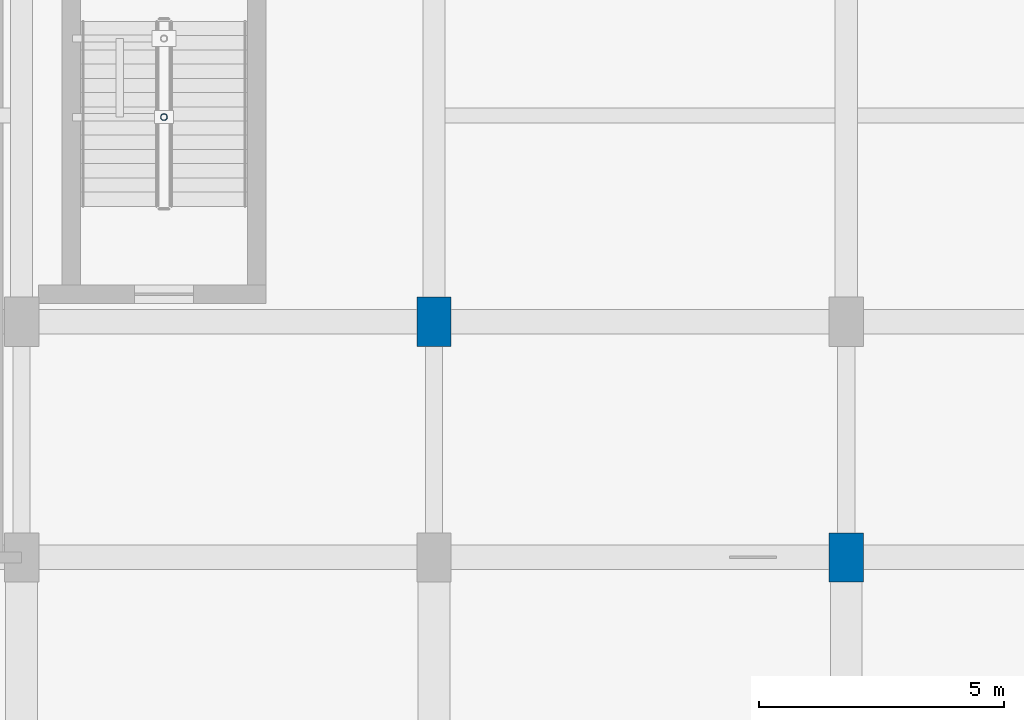
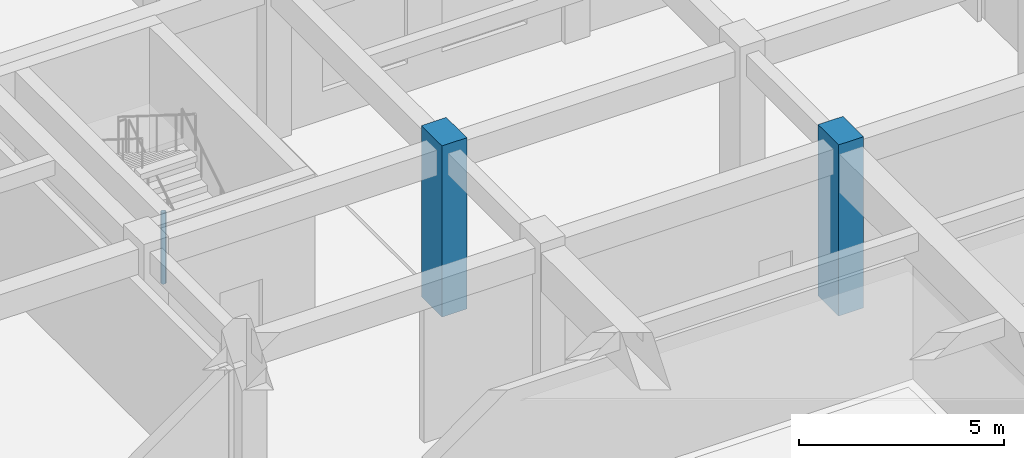
# One storey, part 2 of 80: 3 columns.
"""IFC4 building model written with IfcOpenShell, lengths in metres."""

import ifcopenshell
import ifcopenshell.guid

model = None  # the IFC model being written
_history = None  # IfcOwnerHistory: only IFC2X3 demands one
_inside = {}  # id of a spatial element -> (the spatial element, [elements in it])
_under = {}  # id of a project, library or spatial element -> (it, [spatial elements below it])
_declared = {}  # id of a project -> (the project, [libraries it declares])
_typed = {}  # id of a type object -> (the type object, [elements of that type])
_made_of = {}  # id of a material, layer set ... -> (it, [elements and type objects made of it])


def new_model(schema):
    """Start an empty IFC model of exactly this schema.

    Asked for "IFC4X3", IfcOpenShell would pick the latest addendum, in which some entities
    have other attributes; the version numbers below select the first issue.
    IFC2X3 requires an IfcOwnerHistory on every rooted entity: one is made here for all.
    """
    global model, _history
    if schema == "IFC4X3":
        model = ifcopenshell.file(schema_version=(4, 3, 0, 0))
    else:
        model = ifcopenshell.file(schema=schema)
    _inside.clear()
    _under.clear()
    _declared.clear()
    _typed.clear()
    _made_of.clear()
    _history = None
    if model.schema == "IFC2X3":
        org = make("IfcOrganization", Name="unknown")
        user = make(
            "IfcPersonAndOrganization",
            ThePerson=make("IfcPerson", FamilyName="unknown"),
            TheOrganization=org,
        )
        app = make(
            "IfcApplication",
            ApplicationDeveloper=org,
            Version="unknown",
            ApplicationFullName="unknown",
            ApplicationIdentifier="unknown",
        )
        _history = make(
            "IfcOwnerHistory",
            OwningUser=user,
            OwningApplication=app,
            ChangeAction="ADDED",
            CreationDate=0,
        )
    return model


def make(cls, **values):
    """One entity of the class cls with the attributes given. An attribute that is None is left unset."""
    return model.create_entity(
        cls, **{name: value for name, value in values.items() if value is not None}
    )


def rooted(cls, **values):
    """An entity with a GlobalId (a new one), such as an element, a storey or a relation."""
    return make(cls, GlobalId=ifcopenshell.guid.new(), OwnerHistory=_history, **values)


def si_unit(unit_type, name, prefix=None):
    """IfcSIUnit, for example si_unit("LENGTHUNIT", "METRE", prefix="MILLI")."""
    return make("IfcSIUnit", UnitType=unit_type, Prefix=prefix, Name=name)


def assignment(units):
    """IfcUnitAssignment: the units of a project."""
    return None if units is None else make("IfcUnitAssignment", Units=units)


def point(xyz):
    """IfcCartesianPoint."""
    return None if xyz is None else make("IfcCartesianPoint", Coordinates=xyz)


def direction(xyz):
    """IfcDirection."""
    return None if xyz is None else make("IfcDirection", DirectionRatios=xyz)


def frame(location, z_axis=None, x_axis=None):
    """IfcAxis2Placement3D, a coordinate frame: its origin and axes. An axis left out is left unset."""
    return make(
        "IfcAxis2Placement3D",
        Location=point(location),
        Axis=direction(z_axis),
        RefDirection=direction(x_axis),
    )


def frame_2d(location, x_axis=None):
    """IfcAxis2Placement2D, a coordinate frame in the plane: its origin and x axis."""
    return make(
        "IfcAxis2Placement2D", Location=point(location), RefDirection=direction(x_axis)
    )


def origin():
    """The frame at (0, 0, 0) with its axes left unset."""
    return frame((0.0, 0.0, 0.0))


def origin_2d():
    """The frame at (0, 0) in the plane with its x axis left unset."""
    return frame_2d((0.0, 0.0))


def place(relative_to, where):
    """IfcLocalPlacement: puts the frame where relative to a parent placement (None: the world)."""
    return make(
        "IfcLocalPlacement", PlacementRelTo=relative_to, RelativePlacement=where
    )


def context(
    kind, dimensions, precision=None, world=None, true_north=None, identifier=None
):
    """IfcGeometricRepresentationContext, for example the 3D "Model" context."""
    return make(
        "IfcGeometricRepresentationContext",
        ContextIdentifier=identifier,
        ContextType=kind,
        CoordinateSpaceDimension=dimensions,
        Precision=precision,
        WorldCoordinateSystem=world,
        TrueNorth=true_north,
    )


def subcontext(parent, identifier, kind, view, scale=None):
    """IfcGeometricRepresentationSubContext, for example "Body" below "Model"."""
    return make(
        "IfcGeometricRepresentationSubContext",
        ContextIdentifier=identifier,
        ContextType=kind,
        ParentContext=parent,
        TargetScale=scale,
        TargetView=view,
    )


def project(units=None, contexts=None):
    """IfcProject with its units and contexts."""
    return rooted(
        "IfcProject",
        Name="project",
        RepresentationContexts=contexts,
        UnitsInContext=assignment(units),
    )


def spatial(cls, under=None, at=None, **own):
    """A site, building, storey or space (cls), placed at a placement, below another one or the project."""
    s = rooted(cls, ObjectPlacement=at, **own)
    if under is not None:
        _under.setdefault(under.id(), (under, []))[1].append(s)
    return s


def profile(cls, at=None, kind="AREA", **sizes):
    """A parametric profile (cls). Its sizes go by their IFC names, for example OverallWidth=200.0."""
    return make(cls, ProfileType=kind, Position=at, **sizes)


def rectangle(**sizes):
    """IfcRectangleProfileDef."""
    return profile("IfcRectangleProfileDef", **sizes)


def hollow_circle(**sizes):
    """IfcCircleHollowProfileDef."""
    return profile("IfcCircleHollowProfileDef", **sizes)


def extrude(swept, where, along, depth):
    """IfcExtrudedAreaSolid: the profile swept, set in the frame where, extruded along a direction by depth."""
    return make(
        "IfcExtrudedAreaSolid",
        SweptArea=swept,
        Position=where,
        ExtrudedDirection=direction(along),
        Depth=depth,
    )


def shape(context_of_items, identifier, shape_type, items):
    """IfcShapeRepresentation: the items that make up one representation, for example the "Body"."""
    return make(
        "IfcShapeRepresentation",
        ContextOfItems=context_of_items,
        RepresentationIdentifier=identifier,
        RepresentationType=shape_type,
        Items=items,
    )


def material(Name=None, Category=None):
    """IfcMaterial."""
    return make("IfcMaterial", Name=Name, Category=Category)


def material_profile(
    of_material, cross_section, Name=None, Category=None, Priority=None
):
    """IfcMaterialProfile: a cross section and its material."""
    return make(
        "IfcMaterialProfile",
        Name=Name,
        Material=of_material,
        Profile=cross_section,
        Priority=Priority,
        Category=Category,
    )


def profile_set(profiles, Name=None, composite=None):
    """IfcMaterialProfileSet."""
    return make(
        "IfcMaterialProfileSet",
        Name=Name,
        MaterialProfiles=profiles,
        CompositeProfile=composite,
    )


def made_of(thing, what):
    """Note that an element or type object is made of a material, layer set ...; save() writes the relation."""
    if what is not None:
        _made_of.setdefault(what.id(), (what, []))[1].append(thing)
    return thing


def type_object(cls, material=None, **own):
    """A type object (cls), such as IfcWallType, which elements share."""
    return made_of(rooted(cls, **own), material)


def element(
    cls,
    number,
    at=None,
    inside=None,
    cuts=None,
    type_object=None,
    material=None,
    context=None,
    identifier="Body",
    shape_type=None,
    held_by="IfcProductDefinitionShape",
    body=None,
    shapes=None,
    **own,
):
    """One element of the class cls, such as IfcWall. Its Tag is "e" and its number.

    at: its placement. inside: the storey or other place that contains it. cuts: it is an
    opening in that element (IfcRelVoidsElement). A single representation is given by context,
    identifier, shape_type and body (its items); several are given by shapes. held_by: the class
    of the entity that holds the representations. save() writes the other relations.
    """
    e = rooted(cls, Tag="e%d" % number, ObjectPlacement=at, **own)
    if body is not None:
        shapes = [shape(context, identifier, shape_type, body)]
    if shapes is not None:
        e.Representation = make(held_by, Representations=shapes)
    if inside is not None:
        _inside.setdefault(inside.id(), (inside, []))[1].append(e)
    if cuts is not None:
        rooted(
            "IfcRelVoidsElement", RelatingBuildingElement=cuts, RelatedOpeningElement=e
        )
    if type_object is not None:
        _typed.setdefault(type_object.id(), (type_object, []))[1].append(e)
    return made_of(e, material)


def aggregate(whole, parts):
    """IfcRelAggregates: a whole, such as a stair, and the parts it consists of."""
    return rooted("IfcRelAggregates", RelatingObject=whole, RelatedObjects=parts)


def save(model, path):
    """Write the relations noted so far, then the file.

    IfcRelAggregates (storeys below a building ...), IfcRelContainedInSpatialStructure (elements
    in a storey), IfcRelDefinesByType, IfcRelAssociatesMaterial and IfcRelDeclares: one each for
    every whole, place, type object, material and project.
    """
    for whole, parts in _under.values():
        aggregate(whole, parts)
    for where, things in _inside.values():
        rooted(
            "IfcRelContainedInSpatialStructure",
            RelatedElements=things,
            RelatingStructure=where,
        )
    for kind, things in _typed.values():
        rooted("IfcRelDefinesByType", RelatedObjects=things, RelatingType=kind)
    for what, things in _made_of.values():
        rooted("IfcRelAssociatesMaterial", RelatedObjects=things, RelatingMaterial=what)
    for by, libraries in _declared.values():
        rooted("IfcRelDeclares", RelatingContext=by, RelatedDefinitions=libraries)
    model.write(path)


model = new_model("IFC4")

# Units and contexts
model_context = context("Model", 3, precision=1e-05, world=origin(), true_north=direction((0.0, 1.0)))
body_context = subcontext(model_context, "Body", "Model", "MODEL_VIEW")
ifc_project = project(units=[si_unit("LENGTHUNIT", "METRE"), si_unit("AREAUNIT", "SQUARE_METRE"), si_unit("VOLUMEUNIT", "CUBIC_METRE"), si_unit("PLANEANGLEUNIT", "RADIAN"), si_unit("MASSUNIT", "GRAM", prefix="KILO")], contexts=[model_context])

# Site, building, storey
site_placement = place(None, origin())
site = spatial("IfcSite", under=ifc_project, at=site_placement, CompositionType="ELEMENT")
building_placement = place(site_placement, origin())
building = spatial("IfcBuilding", under=site, at=building_placement, Name="Krzemoval Escarpment Law Courts", CompositionType="ELEMENT")
storey_placement = place(building_placement, origin())
storey = spatial("IfcBuildingStorey", under=building, at=storey_placement, Name="L00", CompositionType="ELEMENT", Elevation=0.0)

# Columns
ifc_material_1 = material(Name="Concrete C50/60", Category="concrete")
ifc_material_profile_1 = material_profile(ifc_material_1, rectangle(XDim=0.699951171875, YDim=1.0, at=origin_2d()), Name="RC 700x1000")
ifc_profile_set_1 = profile_set([ifc_material_profile_1], Name="Concrete C50/60")
column_type_1 = type_object("IfcColumnType", Name="COL-RC-700x1000", PredefinedType="COLUMN", material=ifc_profile_set_1)
for number, where, z_axis, x_axis, name in (
    (1, (42.0, 27.0, 0.0), (0.0, 0.0, 1.0), (1.0, 0.0, 0.0), "Column FC-L00-0352"),
    (2, (50.39990234375, 22.199951171875, 0.0), (0.0, 0.0, 1.0), (1.0, 0.0, 0.0), "Column FC-L00-0368"),
):
    element("IfcColumn", number, at=place(storey_placement, frame(where, z_axis=z_axis, x_axis=x_axis)), inside=storey, type_object=column_type_1, Name=name, PredefinedType="COLUMN", context=body_context, shape_type="SweptSolid", body=[
        extrude(rectangle(XDim=0.699951171875, YDim=1.0, at=origin_2d()), origin(), (0.0, 0.0, 1.0), 5.10009765625),
    ])
ifc_material_2 = material(Name="Steel S355", Category="steel")
ifc_material_profile_2 = material_profile(ifc_material_2, hollow_circle(Radius=0.06982421875, WallThickness=0.008056640625, at=origin_2d()), Name="CHS 139.7x8")
ifc_profile_set_2 = profile_set([ifc_material_profile_2], Name="Steel S355")
column_type_2 = type_object("IfcColumnType", Name="COL-S355-CHS140", PredefinedType="COLUMN", material=ifc_profile_set_2)
column_placement = place(storey_placement, frame((36.5, 31.169921875, 0.0), z_axis=(0.0, 0.0, 1.0), x_axis=(1.0, 0.0, 0.0)))
element("IfcColumn", 3, at=column_placement, inside=storey, type_object=column_type_2, Name="Stair Well Post SCP-C7-L00-2", PredefinedType="COLUMN", context=body_context, shape_type="SweptSolid", body=[
    extrude(hollow_circle(Radius=0.06982421875, WallThickness=0.008056640625, at=origin_2d()), origin(), (0.0, 0.0, 1.0), 2.1201171875),
])

save(model, "model.ifc")
